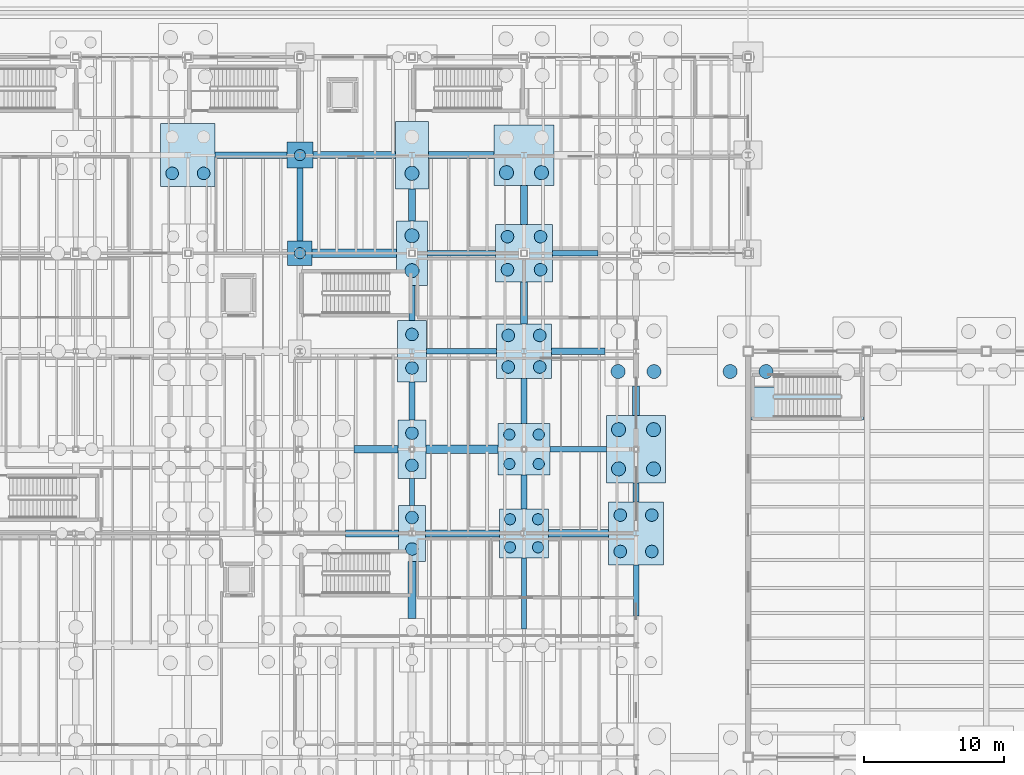
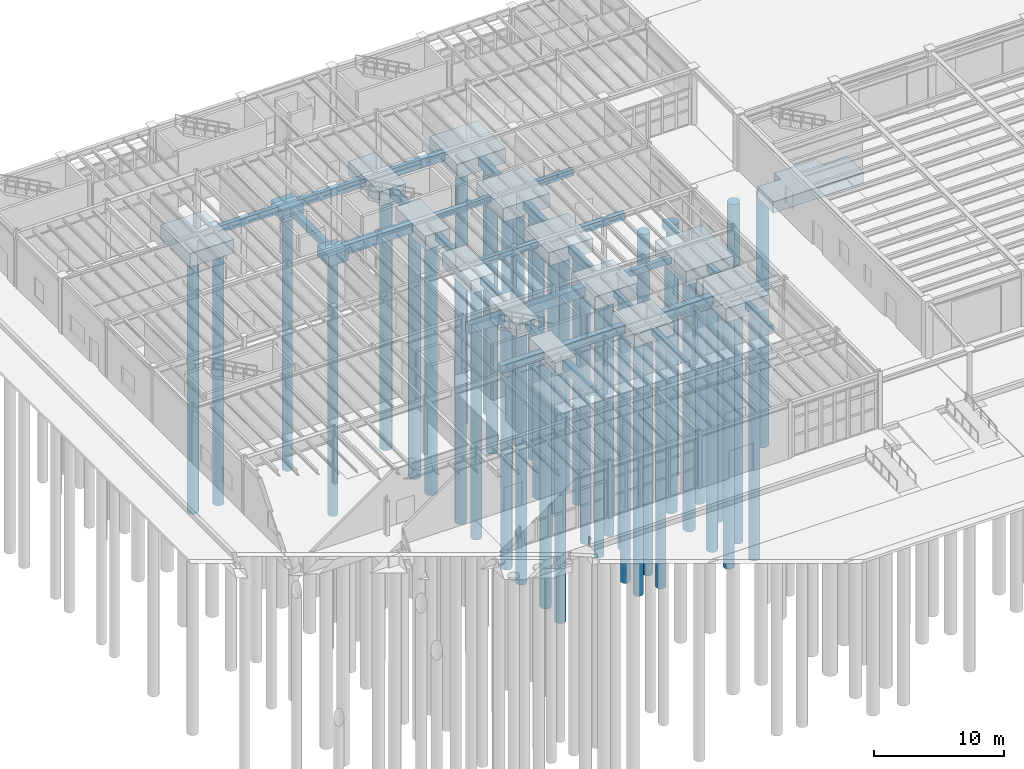
# One storey, part 4 of 86: 44 footings, 43 piles.
"""IFC4 building model written with IfcOpenShell, lengths in metres."""

from ifc_helpers import new_model, si_unit, direction, frame, origin, origin_2d, place, context, subcontext, project, spatial, polyline, rectangle, circle, outline, extrude, material, material_profile, profile_set, type_object, element, save


model = new_model("IFC4")

# Units and contexts
model_context = context("Model", 3, precision=1e-05, world=origin(), true_north=direction((0.0, 1.0)))
body_context = subcontext(model_context, "Body", "Model", "MODEL_VIEW")
ifc_project = project(units=[si_unit("LENGTHUNIT", "METRE"), si_unit("AREAUNIT", "SQUARE_METRE"), si_unit("VOLUMEUNIT", "CUBIC_METRE"), si_unit("PLANEANGLEUNIT", "RADIAN"), si_unit("MASSUNIT", "GRAM", prefix="KILO"), si_unit("THERMODYNAMICTEMPERATUREUNIT", "KELVIN"), si_unit("POWERUNIT", "WATT")], contexts=[model_context])

# Site, building, storey
site_placement = place(None, origin())
site = spatial("IfcSite", under=ifc_project, at=site_placement, CompositionType="ELEMENT")
building_placement = place(site_placement, origin())
building = spatial("IfcBuilding", under=site, at=building_placement, Name="Zhenchuan Central Fire Station", CompositionType="ELEMENT")
storey_placement = place(building_placement, frame((0.0, 0.0, 0.449951171875)))
storey = spatial("IfcBuildingStorey", under=building, at=storey_placement, Name="L01", CompositionType="ELEMENT", Elevation=0.449951171875)

# Footings
ifc_material_1 = material(Name="Concrete C35/45", Category="concrete")
footing_type_1 = type_object("IfcFootingType", Name="FB-380x550", PredefinedType="FOOTING_BEAM", material=ifc_material_1)
footing_1_placement = place(storey_placement, frame((0.0, 0.0, -1.0)))
element("IfcFooting", 1, at=footing_1_placement, inside=storey, type_object=footing_type_1, Name="Foundation Tie Beam FB-X-064", PredefinedType="FOOTING_BEAM", context=body_context, shape_type="SweptSolid", body=[
    extrude(outline(polyline([(41.85009765625, 28.31005859375), (45.89990234375, 28.31005859375), (45.89990234375, 28.68994140625), (41.85009765625, 28.68994140625), (41.85009765625, 28.31005859375)])), origin(), (0.0, 0.0, 1.0), 0.550048828125),
])
footing_2_placement = place(storey_placement, frame((0.0, 0.0, -1.0)))
element("IfcFooting", 2, at=footing_2_placement, inside=storey, type_object=footing_type_1, Name="Foundation Tie Beam FB-X-092", PredefinedType="FOOTING_BEAM", context=body_context, shape_type="SweptSolid", body=[
    extrude(outline(polyline([(33.10009765625, 42.31005859375), (37.949951171875, 42.31005859375), (37.949951171875, 42.68994140625), (33.10009765625, 42.68994140625), (33.10009765625, 42.31005859375)])), origin(), (0.0, 0.0, 1.0), 0.550048828125),
])
footing_3_placement = place(storey_placement, frame((0.0, 0.0, -1.0)))
element("IfcFooting", 3, at=footing_3_placement, inside=storey, type_object=footing_type_1, Name="Foundation Tie Beam FB-Y-155", PredefinedType="FOOTING_BEAM", context=body_context, shape_type="SweptSolid", body=[
    extrude(outline(polyline([(31.81005859375, 24.5), (32.18994140625, 24.5), (32.18994140625, 26.39990234375), (31.81005859375, 26.39990234375), (31.81005859375, 24.5)])), origin(), (0.0, 0.0, 1.0), 0.550048828125),
])
footing_4_placement = place(storey_placement, frame((0.0, 0.0, -1.0)))
element("IfcFooting", 4, at=footing_4_placement, inside=storey, type_object=footing_type_1, Name="Foundation Tie Beam FB-Y-162", PredefinedType="FOOTING_BEAM", context=body_context, shape_type="SweptSolid", body=[
    extrude(outline(polyline([(39.81005859375, 15.64990234375), (40.18994140625, 15.64990234375), (40.18994140625, 20.75), (39.81005859375, 20.75), (39.81005859375, 15.64990234375)])), origin(), (0.0, 0.0, 1.0), 0.550048828125),
])
footing_type_2 = type_object("IfcFootingType", Name="FB-400x600", PredefinedType="FOOTING_BEAM", material=ifc_material_1)
footing_5_placement = place(storey_placement, frame((0.0, 0.0, -1.050048828125)))
element("IfcFooting", 5, at=footing_5_placement, inside=storey, type_object=footing_type_2, Name="Foundation Tie Beam FB-X-072", PredefinedType="FOOTING_BEAM", context=body_context, shape_type="SweptSolid", body=[
    extrude(outline(polyline([(33.050048828125, 35.300048828125), (38.050048828125, 35.300048828125), (38.050048828125, 35.699951171875), (33.050048828125, 35.699951171875), (33.050048828125, 35.300048828125)])), origin(), (0.0, 0.0, 1.0), 0.60009765625),
])
footing_6_placement = place(storey_placement, frame((0.0, 0.0, -1.050048828125)))
element("IfcFooting", 6, at=footing_6_placement, inside=storey, type_object=footing_type_2, Name="Foundation Tie Beam FB-X-093", PredefinedType="FOOTING_BEAM", context=body_context, shape_type="SweptSolid", body=[
    extrude(outline(polyline([(42.050048828125, 42.300048828125), (45.300048828125, 42.300048828125), (45.300048828125, 42.699951171875), (42.050048828125, 42.699951171875), (42.050048828125, 42.300048828125)])), origin(), (0.0, 0.0, 1.0), 0.60009765625),
])
footing_7_placement = place(storey_placement, frame((0.0, 0.0, -1.050048828125)))
element("IfcFooting", 7, at=footing_7_placement, inside=storey, type_object=footing_type_2, Name="Foundation Tie Beam FB-Y-156", PredefinedType="FOOTING_BEAM", context=body_context, shape_type="SweptSolid", body=[
    extrude(outline(polyline([(31.800048828125, 30.60009765625), (32.199951171875, 30.60009765625), (32.199951171875, 33.300048828125), (31.800048828125, 33.300048828125), (31.800048828125, 30.60009765625)])), origin(), (0.0, 0.0, 1.0), 0.60009765625),
])
footing_8_placement = place(storey_placement, frame((0.0, 0.0, -1.050048828125)))
element("IfcFooting", 8, at=footing_8_placement, inside=storey, type_object=footing_type_2, Name="Foundation Tie Beam FB-Y-163", PredefinedType="FOOTING_BEAM", context=body_context, shape_type="SweptSolid", body=[
    extrude(outline(polyline([(39.800048828125, 24.25), (40.199951171875, 24.25), (40.199951171875, 26.64990234375), (39.800048828125, 26.64990234375), (39.800048828125, 24.25)])), origin(), (0.0, 0.0, 1.0), 0.60009765625),
])
footing_9_placement = place(storey_placement, frame((0.0, 0.0, -1.050048828125)))
element("IfcFooting", 9, at=footing_9_placement, inside=storey, type_object=footing_type_2, Name="Foundation Tie Beam FB-Y-170", PredefinedType="FOOTING_BEAM", context=body_context, shape_type="SweptSolid", body=[
    extrude(outline(polyline([(47.800048828125, 16.60009765625), (48.199951171875, 16.60009765625), (48.199951171875, 20.25), (47.800048828125, 20.25), (47.800048828125, 16.60009765625)])), origin(), (0.0, 0.0, 1.0), 0.60009765625),
])
footing_type_3 = type_object("IfcFootingType", Name="FB-450x650", PredefinedType="FOOTING_BEAM", material=ifc_material_1)
footing_10_placement = place(storey_placement, frame((0.0, 0.0, -1.099853515625)))
element("IfcFooting", 10, at=footing_10_placement, inside=storey, type_object=footing_type_3, Name="Foundation Tie Beam FB-X-073", PredefinedType="FOOTING_BEAM", context=body_context, shape_type="SweptSolid", body=[
    extrude(outline(polyline([(41.949951171875, 35.27490234375), (45.800048828125, 35.27490234375), (45.800048828125, 35.72509765625), (41.949951171875, 35.72509765625), (41.949951171875, 35.27490234375)])), origin(), (0.0, 0.0, 1.0), 0.64990234375),
])
footing_11_placement = place(storey_placement, frame((0.0, 0.0, -1.099853515625)))
element("IfcFooting", 11, at=footing_11_placement, inside=storey, type_object=footing_type_3, Name="Foundation Tie Beam FB-X-101", PredefinedType="FOOTING_BEAM", context=body_context, shape_type="SweptSolid", body=[
    extrude(outline(polyline([(17.949951171875, 49.27490234375), (23.074951171875, 49.27490234375), (23.074951171875, 49.72509765625), (17.949951171875, 49.72509765625), (17.949951171875, 49.27490234375)])), origin(), (0.0, 0.0, 1.0), 0.64990234375),
])
footing_12_placement = place(storey_placement, frame((0.0, 0.0, -1.099853515625)))
element("IfcFooting", 12, at=footing_12_placement, inside=storey, type_object=footing_type_3, Name="Foundation Tie Beam FB-Y-150", PredefinedType="FOOTING_BEAM", context=body_context, shape_type="SweptSolid", body=[
    extrude(outline(polyline([(23.77490234375, 43.375), (24.22509765625, 43.375), (24.22509765625, 48.574951171875), (23.77490234375, 48.574951171875), (23.77490234375, 43.375)])), origin(), (0.0, 0.0, 1.0), 0.64990234375),
])
footing_13_placement = place(storey_placement, frame((0.0, 0.0, -1.099853515625)))
element("IfcFooting", 13, at=footing_13_placement, inside=storey, type_object=footing_type_3, Name="Foundation Tie Beam FB-Y-157", PredefinedType="FOOTING_BEAM", context=body_context, shape_type="SweptSolid", body=[
    extrude(outline(polyline([(31.77490234375, 37.699951171875), (32.22509765625, 37.699951171875), (32.22509765625, 40.199951171875), (31.77490234375, 40.199951171875), (31.77490234375, 37.699951171875)])), origin(), (0.0, 0.0, 1.0), 0.64990234375),
])
footing_14_placement = place(storey_placement, frame((0.0, 0.0, -1.099853515625)))
element("IfcFooting", 14, at=footing_14_placement, inside=storey, type_object=footing_type_3, Name="Foundation Tie Beam FB-Y-164", PredefinedType="FOOTING_BEAM", context=body_context, shape_type="SweptSolid", body=[
    extrude(outline(polyline([(39.77490234375, 30.35009765625), (40.22509765625, 30.35009765625), (40.22509765625, 33.550048828125), (39.77490234375, 33.550048828125), (39.77490234375, 30.35009765625)])), origin(), (0.0, 0.0, 1.0), 0.64990234375),
])
footing_15_placement = place(storey_placement, frame((0.0, 0.0, -1.099853515625)))
element("IfcFooting", 15, at=footing_15_placement, inside=storey, type_object=footing_type_3, Name="Foundation Tie Beam FB-Y-171", PredefinedType="FOOTING_BEAM", context=body_context, shape_type="SweptSolid", body=[
    extrude(outline(polyline([(47.77490234375, 24.75), (48.22509765625, 24.75), (48.22509765625, 26.10009765625), (47.77490234375, 26.10009765625), (47.77490234375, 24.75)])), origin(), (0.0, 0.0, 1.0), 0.64990234375),
])
footing_type_4 = type_object("IfcFootingType", Name="FB-500x700", PredefinedType="FOOTING_BEAM", material=ifc_material_1)
footing_16_placement = place(storey_placement, frame((0.0, 0.0, -1.14990234375)))
element("IfcFooting", 16, at=footing_16_placement, inside=storey, type_object=footing_type_4, Name="Foundation Tie Beam FB-X-053", PredefinedType="FOOTING_BEAM", context=body_context, shape_type="SweptSolid", body=[
    extrude(outline(polyline([(27.25, 22.25), (31.050048828125, 22.25), (31.050048828125, 22.75), (27.25, 22.75), (27.25, 22.25)])), origin(), (0.0, 0.0, 1.0), 0.699951171875),
])
footing_17_placement = place(storey_placement, frame((0.0, 0.0, -1.14990234375)))
element("IfcFooting", 17, at=footing_17_placement, inside=storey, type_object=footing_type_4, Name="Foundation Tie Beam FB-X-102", PredefinedType="FOOTING_BEAM", context=body_context, shape_type="SweptSolid", body=[
    extrude(outline(polyline([(24.925048828125, 49.25), (30.824951171875, 49.25), (30.824951171875, 49.75), (24.925048828125, 49.75), (24.925048828125, 49.25)])), origin(), (0.0, 0.0, 1.0), 0.699951171875),
])
footing_18_placement = place(storey_placement, frame((0.0, 0.0, -1.14990234375)))
element("IfcFooting", 18, at=footing_18_placement, inside=storey, type_object=footing_type_4, Name="Foundation Tie Beam FB-Y-158", PredefinedType="FOOTING_BEAM", context=body_context, shape_type="SweptSolid", body=[
    extrude(outline(polyline([(31.75, 44.800048828125), (32.25, 44.800048828125), (32.25, 47.10009765625), (31.75, 47.10009765625), (31.75, 44.800048828125)])), origin(), (0.0, 0.0, 1.0), 0.699951171875),
])
footing_19_placement = place(storey_placement, frame((0.0, 0.0, -1.14990234375)))
element("IfcFooting", 19, at=footing_19_placement, inside=storey, type_object=footing_type_4, Name="Foundation Tie Beam FB-Y-165", PredefinedType="FOOTING_BEAM", context=body_context, shape_type="SweptSolid", body=[
    extrude(outline(polyline([(39.75, 37.449951171875), (40.25, 37.449951171875), (40.25, 40.449951171875), (39.75, 40.449951171875), (39.75, 37.449951171875)])), origin(), (0.0, 0.0, 1.0), 0.699951171875),
])
footing_20_placement = place(storey_placement, frame((0.0, 0.0, -1.14990234375)))
element("IfcFooting", 20, at=footing_20_placement, inside=storey, type_object=footing_type_4, Name="Foundation Tie Beam FB-Y-172", PredefinedType="FOOTING_BEAM", context=body_context, shape_type="SweptSolid", body=[
    extrude(outline(polyline([(47.75, 30.89990234375), (48.25, 30.89990234375), (48.25, 33.0), (47.75, 33.0), (47.75, 30.89990234375)])), origin(), (0.0, 0.0, 1.0), 0.699951171875),
])
footing_type_5 = type_object("IfcFootingType", Name="FB-500x800", PredefinedType="FOOTING_BEAM", material=ifc_material_1)
footing_21_placement = place(storey_placement, frame((0.0, 0.0, -1.25)))
element("IfcFooting", 21, at=footing_21_placement, inside=storey, type_object=footing_type_5, Name="Foundation Tie Beam FB-X-054", PredefinedType="FOOTING_BEAM", context=body_context, shape_type="SweptSolid", body=[
    extrude(outline(polyline([(32.949951171875, 22.25), (38.25, 22.25), (38.25, 22.75), (32.949951171875, 22.75), (32.949951171875, 22.25)])), origin(), (0.0, 0.0, 1.0), 0.800048828125),
])
footing_22_placement = place(storey_placement, frame((0.0, 0.0, -1.25)))
element("IfcFooting", 22, at=footing_22_placement, inside=storey, type_object=footing_type_5, Name="Foundation Tie Beam FB-X-103", PredefinedType="FOOTING_BEAM", context=body_context, shape_type="SweptSolid", body=[
    extrude(outline(polyline([(33.175048828125, 49.25), (37.85009765625, 49.25), (37.85009765625, 49.75), (33.175048828125, 49.75), (33.175048828125, 49.25)])), origin(), (0.0, 0.0, 1.0), 0.800048828125),
])
footing_23_placement = place(storey_placement, frame((0.0, 0.0, -1.25)))
element("IfcFooting", 23, at=footing_23_placement, inside=storey, type_object=footing_type_5, Name="Foundation Tie Beam FB-Y-166", PredefinedType="FOOTING_BEAM", context=body_context, shape_type="SweptSolid", body=[
    extrude(outline(polyline([(39.75, 44.550048828125), (40.25, 44.550048828125), (40.25, 47.35009765625), (39.75, 47.35009765625), (39.75, 44.550048828125)])), origin(), (0.0, 0.0, 1.0), 0.800048828125),
])
footing_type_6 = type_object("IfcFootingType", Name="FB-550x850", PredefinedType="FOOTING_BEAM", material=ifc_material_1)
footing_24_placement = place(storey_placement, frame((0.0, 0.0, -1.300048828125)))
element("IfcFooting", 24, at=footing_24_placement, inside=storey, type_object=footing_type_6, Name="Foundation Tie Beam FB-X-055", PredefinedType="FOOTING_BEAM", context=body_context, shape_type="SweptSolid", body=[
    extrude(outline(polyline([(41.75, 22.22509765625), (46.050048828125, 22.22509765625), (46.050048828125, 22.77490234375), (41.75, 22.77490234375), (41.75, 22.22509765625)])), origin(), (0.0, 0.0, 1.0), 0.85009765625),
])
footing_25_placement = place(storey_placement, frame((0.0, 0.0, -1.300048828125)))
element("IfcFooting", 25, at=footing_25_placement, inside=storey, type_object=footing_type_6, Name="Foundation Tie Beam FB-X-062", PredefinedType="FOOTING_BEAM", context=body_context, shape_type="SweptSolid", body=[
    extrude(outline(polyline([(27.85009765625, 28.22509765625), (31.0, 28.22509765625), (31.0, 28.77490234375), (27.85009765625, 28.77490234375), (27.85009765625, 28.22509765625)])), origin(), (0.0, 0.0, 1.0), 0.85009765625),
])
footing_type_7 = type_object("IfcFootingType", Name="FB-600x900", PredefinedType="FOOTING_BEAM", material=ifc_material_1)
footing_26_placement = place(storey_placement, frame((0.0, 0.0, -1.349853515625)))
element("IfcFooting", 26, at=footing_26_placement, inside=storey, type_object=footing_type_7, Name="Foundation Tie Beam FB-X-063", PredefinedType="FOOTING_BEAM", context=body_context, shape_type="SweptSolid", body=[
    extrude(outline(polyline([(33.0, 28.199951171875), (38.14990234375, 28.199951171875), (38.14990234375, 28.800048828125), (33.0, 28.800048828125), (33.0, 28.199951171875)])), origin(), (0.0, 0.0, 1.0), 0.89990234375),
])
footing_27_placement = place(storey_placement, frame((0.0, 0.0, -1.349853515625)))
element("IfcFooting", 27, at=footing_27_placement, inside=storey, type_object=footing_type_7, Name="Foundation Tie Beam FB-X-091", PredefinedType="FOOTING_BEAM", context=body_context, shape_type="SweptSolid", body=[
    extrude(outline(polyline([(24.875, 42.199951171875), (30.89990234375, 42.199951171875), (30.89990234375, 42.800048828125), (24.875, 42.800048828125), (24.875, 42.199951171875)])), origin(), (0.0, 0.0, 1.0), 0.89990234375),
])
footing_28_placement = place(storey_placement, frame((0.0, 0.0, -1.349853515625)))
element("IfcFooting", 28, at=footing_28_placement, inside=storey, type_object=footing_type_7, Name="Foundation Tie Beam FB-Y-154", PredefinedType="FOOTING_BEAM", context=body_context, shape_type="SweptSolid", body=[
    extrude(outline(polyline([(31.699951171875, 16.39990234375), (32.300048828125, 16.39990234375), (32.300048828125, 20.5), (31.699951171875, 20.5), (31.699951171875, 16.39990234375)])), origin(), (0.0, 0.0, 1.0), 0.89990234375),
])
ifc_material_2 = material(Name="Concrete C40/50", Category="concrete")
footing_type_8 = type_object("IfcFootingType", Name="PAD-CORE", PredefinedType="PAD_FOOTING", material=ifc_material_2)
footing_29_placement = place(storey_placement, frame((0.0, 0.0, -1.300048828125)))
element("IfcFooting", 29, at=footing_29_placement, inside=storey, type_object=footing_type_8, Name="ST-08 Core Foundation Mat Footing", PredefinedType="PAD_FOOTING", context=body_context, shape_type="SweptSolid", body=[
    extrude(outline(polyline([(64.235107421875, 30.574951171875), (56.22509765625, 30.574951171875), (56.22509765625, 32.9599609375), (58.239990234375, 32.9599609375), (58.239990234375, 33.925048828125), (62.010009765625, 33.925048828125), (62.010009765625, 33.010009765625), (64.235107421875, 33.010009765625), (64.235107421875, 30.574951171875)])), origin(), (0.0, 0.0, 1.0), 1.050048828125),
])
footing_type_9 = type_object("IfcFootingType", Name="PC-02", PredefinedType="PILE_CAP", material=ifc_material_2)
footing_30_placement = place(storey_placement, frame((24.0, 42.5, -1.469970703125), z_axis=(0.0, 0.0, 1.0), x_axis=(1.0, 0.0, 0.0)))
element("IfcFooting", 30, at=footing_30_placement, inside=storey, type_object=footing_type_9, Name="Pile Cap PC-02 at (24.0,42.5)", PredefinedType="PILE_CAP", context=body_context, shape_type="SweptSolid", body=[
    extrude(rectangle(XDim=1.75, YDim=1.75, at=origin_2d()), origin(), (0.0, 0.0, 1.0), 1.02001953125),
])
footing_type_10 = type_object("IfcFootingType", Name="PC-03", PredefinedType="PILE_CAP", material=ifc_material_2)
footing_31_placement = place(storey_placement, frame((24.0, 49.5, -1.5), z_axis=(0.0, 0.0, 1.0), x_axis=(1.0, 0.0, 0.0)))
element("IfcFooting", 31, at=footing_31_placement, inside=storey, type_object=footing_type_10, Name="Pile Cap PC-03 at (24.0,49.5)", PredefinedType="PILE_CAP", context=body_context, shape_type="SweptSolid", body=[
    extrude(rectangle(XDim=1.85009765625, YDim=1.85009765625, at=origin_2d()), origin(), (0.0, 0.0, 1.0), 1.050048828125),
])
footing_type_11 = type_object("IfcFootingType", Name="PC-08", PredefinedType="PILE_CAP", material=ifc_material_2)
footing_32_placement = place(storey_placement, frame((32.0, 22.5, -1.64990234375), z_axis=(0.0, 0.0, 1.0), x_axis=(1.0, 0.0, 0.0)))
element("IfcFooting", 32, at=footing_32_placement, inside=storey, type_object=footing_type_11, Name="Pile Cap PC-08 at (32.0,22.5)", PredefinedType="PILE_CAP", context=body_context, shape_type="SweptSolid", body=[
    extrude(rectangle(XDim=1.89990234375, YDim=4.0, at=origin_2d()), origin(), (0.0, 0.0, 1.0), 1.199951171875),
])
footing_type_12 = type_object("IfcFootingType", Name="PC-09", PredefinedType="PILE_CAP", material=ifc_material_2)
footing_33_placement = place(storey_placement, frame((32.0, 28.5, -1.64990234375), z_axis=(0.0, 0.0, 1.0), x_axis=(1.0, 0.0, 0.0)))
element("IfcFooting", 33, at=footing_33_placement, inside=storey, type_object=footing_type_12, Name="Pile Cap PC-09 at (32.0,28.5)", PredefinedType="PILE_CAP", context=body_context, shape_type="SweptSolid", body=[
    extrude(rectangle(XDim=2.0, YDim=4.199951171875, at=origin_2d()), origin(), (0.0, 0.0, 1.0), 1.199951171875),
])
footing_type_13 = type_object("IfcFootingType", Name="PC-10", PredefinedType="PILE_CAP", material=ifc_material_2)
footing_34_placement = place(storey_placement, frame((32.0, 35.5, -1.699951171875), z_axis=(0.0, 0.0, 1.0), x_axis=(1.0, 0.0, 0.0)))
element("IfcFooting", 34, at=footing_34_placement, inside=storey, type_object=footing_type_13, Name="Pile Cap PC-10 at (32.0,35.5)", PredefinedType="PILE_CAP", context=body_context, shape_type="SweptSolid", body=[
    extrude(rectangle(XDim=2.10009765625, YDim=4.39990234375, at=origin_2d()), origin(), (0.0, 0.0, 1.0), 1.25),
])
footing_type_14 = type_object("IfcFootingType", Name="PC-11", PredefinedType="PILE_CAP", material=ifc_material_2)
footing_35_placement = place(storey_placement, frame((32.0, 42.5, -1.75), z_axis=(0.0, 0.0, 1.0), x_axis=(1.0, 0.0, 0.0)))
element("IfcFooting", 35, at=footing_35_placement, inside=storey, type_object=footing_type_14, Name="Pile Cap PC-11 at (32.0,42.5)", PredefinedType="PILE_CAP", context=body_context, shape_type="SweptSolid", body=[
    extrude(rectangle(XDim=2.199951171875, YDim=4.60009765625, at=origin_2d()), origin(), (0.0, 0.0, 1.0), 1.300048828125),
])
footing_type_15 = type_object("IfcFootingType", Name="PC-12", PredefinedType="PILE_CAP", material=ifc_material_2)
footing_36_placement = place(storey_placement, frame((32.0, 49.5, -1.77001953125), z_axis=(0.0, 0.0, 1.0), x_axis=(1.0, 0.0, 0.0)))
element("IfcFooting", 36, at=footing_36_placement, inside=storey, type_object=footing_type_15, Name="Pile Cap PC-12 at (32.0,49.5)", PredefinedType="PILE_CAP", context=body_context, shape_type="SweptSolid", body=[
    extrude(rectangle(XDim=2.35009765625, YDim=4.800048828125, at=origin_2d()), origin(), (0.0, 0.0, 1.0), 1.320068359375),
])
footing_type_16 = type_object("IfcFootingType", Name="PC-17", PredefinedType="PILE_CAP", material=ifc_material_2)
footing_37_placement = place(storey_placement, frame((40.0, 22.5, -1.64990234375), z_axis=(0.0, 0.0, 1.0), x_axis=(1.0, 0.0, 0.0)))
element("IfcFooting", 37, at=footing_37_placement, inside=storey, type_object=footing_type_16, Name="Pile Cap PC-17 at (40.0,22.5)", PredefinedType="PILE_CAP", context=body_context, shape_type="SweptSolid", body=[
    extrude(rectangle(XDim=3.5, YDim=3.5, at=origin_2d()), origin(), (0.0, 0.0, 1.0), 1.199951171875),
])
footing_type_17 = type_object("IfcFootingType", Name="PC-18", PredefinedType="PILE_CAP", material=ifc_material_2)
footing_38_placement = place(storey_placement, frame((40.0, 28.5, -1.64990234375), z_axis=(0.0, 0.0, 1.0), x_axis=(1.0, 0.0, 0.0)))
element("IfcFooting", 38, at=footing_38_placement, inside=storey, type_object=footing_type_17, Name="Pile Cap PC-18 at (40.0,28.5)", PredefinedType="PILE_CAP", context=body_context, shape_type="SweptSolid", body=[
    extrude(rectangle(XDim=3.699951171875, YDim=3.699951171875, at=origin_2d()), origin(), (0.0, 0.0, 1.0), 1.199951171875),
])
footing_type_18 = type_object("IfcFootingType", Name="PC-19", PredefinedType="PILE_CAP", material=ifc_material_2)
footing_39_placement = place(storey_placement, frame((40.0, 35.5, -1.699951171875), z_axis=(0.0, 0.0, 1.0), x_axis=(1.0, 0.0, 0.0)))
element("IfcFooting", 39, at=footing_39_placement, inside=storey, type_object=footing_type_18, Name="Pile Cap PC-19 at (40.0,35.5)", PredefinedType="PILE_CAP", context=body_context, shape_type="SweptSolid", body=[
    extrude(rectangle(XDim=3.89990234375, YDim=3.89990234375, at=origin_2d()), origin(), (0.0, 0.0, 1.0), 1.25),
])
footing_type_19 = type_object("IfcFootingType", Name="PC-20", PredefinedType="PILE_CAP", material=ifc_material_2)
footing_40_placement = place(storey_placement, frame((40.0, 42.5, -1.75), z_axis=(0.0, 0.0, 1.0), x_axis=(1.0, 0.0, 0.0)))
element("IfcFooting", 40, at=footing_40_placement, inside=storey, type_object=footing_type_19, Name="Pile Cap PC-20 at (40.0,42.5)", PredefinedType="PILE_CAP", context=body_context, shape_type="SweptSolid", body=[
    extrude(rectangle(XDim=4.10009765625, YDim=4.10009765625, at=origin_2d()), origin(), (0.0, 0.0, 1.0), 1.300048828125),
])
footing_type_20 = type_object("IfcFootingType", Name="PC-21", PredefinedType="PILE_CAP", material=ifc_material_2)
footing_41_placement = place(storey_placement, frame((40.0, 49.5, -1.800048828125), z_axis=(0.0, 0.0, 1.0), x_axis=(1.0, 0.0, 0.0)))
element("IfcFooting", 41, at=footing_41_placement, inside=storey, type_object=footing_type_20, Name="Pile Cap PC-21 at (40.0,49.5)", PredefinedType="PILE_CAP", context=body_context, shape_type="SweptSolid", body=[
    extrude(rectangle(XDim=4.300048828125, YDim=4.300048828125, at=origin_2d()), origin(), (0.0, 0.0, 1.0), 1.35009765625),
])
footing_type_21 = type_object("IfcFootingType", Name="PC-26", PredefinedType="PILE_CAP", material=ifc_material_2)
for number, where, z_axis, x_axis, name in (
    (42, (16.0, 49.5, -1.75), (0.0, 0.0, 1.0), (1.0, 0.0, 0.0), "Pile Cap PC-26 at (16.0,49.5)"),
    (43, (48.0, 22.5, -1.75), (0.0, 0.0, 1.0), (1.0, 0.0, 0.0), "Pile Cap PC-26 at (48.0,22.5)"),
):
    element("IfcFooting", number, at=place(storey_placement, frame(where, z_axis=z_axis, x_axis=x_axis)), inside=storey, type_object=footing_type_21, Name=name, PredefinedType="PILE_CAP", context=body_context, shape_type="SweptSolid", body=[
        extrude(rectangle(XDim=3.89990234375, YDim=4.5, at=origin_2d()), origin(), (0.0, 0.0, 1.0), 1.300048828125),
    ])
footing_type_22 = type_object("IfcFootingType", Name="PC-27", PredefinedType="PILE_CAP", material=ifc_material_2)
footing_42_placement = place(storey_placement, frame((48.0, 28.5, -1.800048828125), z_axis=(0.0, 0.0, 1.0), x_axis=(1.0, 0.0, 0.0)))
element("IfcFooting", 44, at=footing_42_placement, inside=storey, type_object=footing_type_22, Name="Pile Cap PC-27 at (48.0,28.5)", PredefinedType="PILE_CAP", context=body_context, shape_type="SweptSolid", body=[
    extrude(rectangle(XDim=4.199951171875, YDim=4.800048828125, at=origin_2d()), origin(), (0.0, 0.0, 1.0), 1.35009765625),
])

# Piles
ifc_material_profile_1 = material_profile(ifc_material_1, circle(Radius=0.5, at=origin_2d()), Name="PILE D1000")
ifc_profile_set_1 = profile_set([ifc_material_profile_1], Name="Concrete C35/45")
pile_type_1 = type_object("IfcPileType", Name="PILE-D1000", PredefinedType="BORED", material=ifc_profile_set_1)
for number, where, z_axis, x_axis, name in (
    (45, (32.0, 41.25, -1.64990234375), (0.0, 0.0, -1.0), (1.0, 0.0, 0.0), "Bored Pile 043-1"),
    (46, (32.0, 43.75, -1.64990234375), (0.0, 0.0, -1.0), (1.0, 0.0, 0.0), "Bored Pile 043-2"),
):
    element("IfcPile", number, at=place(storey_placement, frame(where, z_axis=z_axis, x_axis=x_axis)), inside=storey, type_object=pile_type_1, Name=name, PredefinedType="BORED", context=body_context, shape_type="SweptSolid", body=[
        extrude(circle(Radius=0.5, at=origin_2d()), origin(), (0.0, 0.0, 1.0), 23.800048828125),
    ])
pile_1_placement = place(storey_placement, frame((32.0, 48.199951171875, -1.669921875), z_axis=(0.0, 0.0, -1.0), x_axis=(1.0, 0.0, 0.0)))
element("IfcPile", 47, at=pile_1_placement, inside=storey, type_object=pile_type_1, Name="Bored Pile 044-1", PredefinedType="BORED", context=body_context, shape_type="SweptSolid", body=[
    extrude(circle(Radius=0.5, at=origin_2d()), origin(), (0.0, 0.0, 1.0), 23.780029296875),
])
for number, where, z_axis, x_axis, name in (
    (48, (38.75, 48.25, -1.699951171875), (0.0, 0.0, -1.0), (1.0, 0.0, 0.0), "Bored Pile 053-1"),
    (49, (41.25, 48.25, -1.699951171875), (0.0, 0.0, -1.0), (1.0, 0.0, 0.0), "Bored Pile 053-2"),
    (50, (46.75, 27.10009765625, -1.699951171875), (0.0, 0.0, -1.0), (1.0, 0.0, 0.0), "Bored Pile 059-1"),
    (51, (49.25, 27.10009765625, -1.699951171875), (0.0, 0.0, -1.0), (1.0, 0.0, 0.0), "Bored Pile 059-2"),
    (52, (46.75, 29.89990234375, -1.699951171875), (0.0, 0.0, -1.0), (1.0, 0.0, 0.0), "Bored Pile 059-3"),
    (53, (49.25, 29.89990234375, -1.699951171875), (0.0, 0.0, -1.0), (1.0, 0.0, 0.0), "Bored Pile 059-4"),
):
    element("IfcPile", number, at=place(storey_placement, frame(where, z_axis=z_axis, x_axis=x_axis)), inside=storey, type_object=pile_type_1, Name=name, PredefinedType="BORED", context=body_context, shape_type="SweptSolid", body=[
        extrude(circle(Radius=0.5, at=origin_2d()), origin(), (0.0, 0.0, 1.0), 23.75),
    ])
for number, where, z_axis, x_axis, name in (
    (54, (46.719970703125, 34.050048828125, -1.72998046875), (0.0, 0.0, -1.0), (1.0, 0.0, 0.0), "Bored Pile 060-1"),
    (55, (49.280029296875, 34.050048828125, -1.72998046875), (0.0, 0.0, -1.0), (1.0, 0.0, 0.0), "Bored Pile 060-2"),
    (56, (54.719970703125, 34.050048828125, -1.72998046875), (0.0, 0.0, -1.0), (1.0, 0.0, 0.0), "Bored Pile 066-1"),
    (57, (57.280029296875, 34.050048828125, -1.72998046875), (0.0, 0.0, -1.0), (1.0, 0.0, 0.0), "Bored Pile 066-2"),
):
    element("IfcPile", number, at=place(storey_placement, frame(where, z_axis=z_axis, x_axis=x_axis)), inside=storey, type_object=pile_type_1, Name=name, PredefinedType="BORED", context=body_context, shape_type="SweptSolid", body=[
        extrude(circle(Radius=0.5, at=origin_2d()), origin(), (0.0, 0.0, 1.0), 23.719970703125),
    ])
ifc_material_profile_2 = material_profile(ifc_material_1, circle(Radius=0.39990234375, at=origin_2d()), Name="PILE D800")
ifc_profile_set_2 = profile_set([ifc_material_profile_2], Name="Concrete C35/45")
pile_type_2 = type_object("IfcPileType", Name="PILE-D800", PredefinedType="BORED", material=ifc_profile_set_2)
pile_2_placement = place(storey_placement, frame((24.0, 42.5, -1.369873046875), z_axis=(0.0, 0.0, -1.0), x_axis=(1.0, 0.0, 0.0)))
element("IfcPile", 58, at=pile_2_placement, inside=storey, type_object=pile_type_2, Name="Bored Pile 034-1", PredefinedType="BORED", context=body_context, shape_type="SweptSolid", body=[
    extrude(circle(Radius=0.39990234375, at=origin_2d()), origin(), (0.0, 0.0, 1.0), 24.080078125),
])
pile_3_placement = place(storey_placement, frame((24.0, 49.5, -1.39990234375), z_axis=(0.0, 0.0, -1.0), x_axis=(1.0, 0.0, 0.0)))
element("IfcPile", 59, at=pile_3_placement, inside=storey, type_object=pile_type_2, Name="Bored Pile 035-1", PredefinedType="BORED", context=body_context, shape_type="SweptSolid", body=[
    extrude(circle(Radius=0.39990234375, at=origin_2d()), origin(), (0.0, 0.0, 1.0), 24.050048828125),
])
for number, where, z_axis, x_axis, name in (
    (60, (39.0, 21.5, -1.550048828125), (0.0, 0.0, -1.0), (1.0, 0.0, 0.0), "Bored Pile 049-1"),
    (61, (41.0, 21.5, -1.550048828125), (0.0, 0.0, -1.0), (1.0, 0.0, 0.0), "Bored Pile 049-2"),
    (62, (39.0, 23.5, -1.550048828125), (0.0, 0.0, -1.0), (1.0, 0.0, 0.0), "Bored Pile 049-3"),
    (63, (41.0, 23.5, -1.550048828125), (0.0, 0.0, -1.0), (1.0, 0.0, 0.0), "Bored Pile 049-4"),
    (64, (38.949951171875, 27.449951171875, -1.550048828125), (0.0, 0.0, -1.0), (1.0, 0.0, 0.0), "Bored Pile 050-1"),
    (65, (41.050048828125, 27.449951171875, -1.550048828125), (0.0, 0.0, -1.0), (1.0, 0.0, 0.0), "Bored Pile 050-2"),
    (66, (38.949951171875, 29.550048828125, -1.550048828125), (0.0, 0.0, -1.0), (1.0, 0.0, 0.0), "Bored Pile 050-3"),
    (67, (41.050048828125, 29.550048828125, -1.550048828125), (0.0, 0.0, -1.0), (1.0, 0.0, 0.0), "Bored Pile 050-4"),
):
    element("IfcPile", number, at=place(storey_placement, frame(where, z_axis=z_axis, x_axis=x_axis)), inside=storey, type_object=pile_type_2, Name=name, PredefinedType="BORED", context=body_context, shape_type="SweptSolid", body=[
        extrude(circle(Radius=0.39990234375, at=origin_2d()), origin(), (0.0, 0.0, 1.0), 23.89990234375),
    ])
ifc_material_profile_3 = material_profile(ifc_material_1, circle(Radius=0.449951171875, at=origin_2d()), Name="PILE D900")
ifc_profile_set_3 = profile_set([ifc_material_profile_3], Name="Concrete C35/45")
pile_type_3 = type_object("IfcPileType", Name="PILE-D900", PredefinedType="BORED", material=ifc_profile_set_3)
for number, where, z_axis, x_axis, name in (
    (68, (14.875, 48.199951171875, -1.64990234375), (0.0, 0.0, -1.0), (1.0, 0.0, 0.0), "Bored Pile 026-1"),
    (69, (17.125, 48.199951171875, -1.64990234375), (0.0, 0.0, -1.0), (1.0, 0.0, 0.0), "Bored Pile 026-2"),
):
    element("IfcPile", number, at=place(storey_placement, frame(where, z_axis=z_axis, x_axis=x_axis)), inside=storey, type_object=pile_type_3, Name=name, PredefinedType="BORED", context=body_context, shape_type="SweptSolid", body=[
        extrude(circle(Radius=0.449951171875, at=origin_2d()), origin(), (0.0, 0.0, 1.0), 23.800048828125),
    ])
for number, where, z_axis, x_axis, name in (
    (70, (32.0, 21.375, -1.550048828125), (0.0, 0.0, -1.0), (1.0, 0.0, 0.0), "Bored Pile 040-1"),
    (71, (32.0, 23.625, -1.550048828125), (0.0, 0.0, -1.0), (1.0, 0.0, 0.0), "Bored Pile 040-2"),
    (72, (32.0, 27.35009765625, -1.550048828125), (0.0, 0.0, -1.0), (1.0, 0.0, 0.0), "Bored Pile 041-1"),
    (73, (32.0, 29.64990234375, -1.550048828125), (0.0, 0.0, -1.0), (1.0, 0.0, 0.0), "Bored Pile 041-2"),
):
    element("IfcPile", number, at=place(storey_placement, frame(where, z_axis=z_axis, x_axis=x_axis)), inside=storey, type_object=pile_type_3, Name=name, PredefinedType="BORED", context=body_context, shape_type="SweptSolid", body=[
        extrude(circle(Radius=0.449951171875, at=origin_2d()), origin(), (0.0, 0.0, 1.0), 23.89990234375),
    ])
for number, where, z_axis, x_axis, name in (
    (74, (32.0, 34.300048828125, -1.599853515625), (0.0, 0.0, -1.0), (1.0, 0.0, 0.0), "Bored Pile 042-1"),
    (75, (32.0, 36.699951171875, -1.599853515625), (0.0, 0.0, -1.0), (1.0, 0.0, 0.0), "Bored Pile 042-2"),
    (76, (38.875, 34.375, -1.599853515625), (0.0, 0.0, -1.0), (1.0, 0.0, 0.0), "Bored Pile 051-1"),
    (77, (41.125, 34.375, -1.599853515625), (0.0, 0.0, -1.0), (1.0, 0.0, 0.0), "Bored Pile 051-2"),
    (78, (38.875, 36.625, -1.599853515625), (0.0, 0.0, -1.0), (1.0, 0.0, 0.0), "Bored Pile 051-3"),
    (79, (41.125, 36.625, -1.599853515625), (0.0, 0.0, -1.0), (1.0, 0.0, 0.0), "Bored Pile 051-4"),
):
    element("IfcPile", number, at=place(storey_placement, frame(where, z_axis=z_axis, x_axis=x_axis)), inside=storey, type_object=pile_type_3, Name=name, PredefinedType="BORED", context=body_context, shape_type="SweptSolid", body=[
        extrude(circle(Radius=0.449951171875, at=origin_2d()), origin(), (0.0, 0.0, 1.0), 23.85009765625),
    ])
for number, where, z_axis, x_axis, name in (
    (80, (38.820068359375, 41.320068359375, -1.64990234375), (0.0, 0.0, -1.0), (1.0, 0.0, 0.0), "Bored Pile 052-1"),
    (81, (41.179931640625, 41.320068359375, -1.64990234375), (0.0, 0.0, -1.0), (1.0, 0.0, 0.0), "Bored Pile 052-2"),
    (82, (38.820068359375, 43.679931640625, -1.64990234375), (0.0, 0.0, -1.0), (1.0, 0.0, 0.0), "Bored Pile 052-3"),
    (83, (41.179931640625, 43.679931640625, -1.64990234375), (0.0, 0.0, -1.0), (1.0, 0.0, 0.0), "Bored Pile 052-4"),
    (84, (46.875, 21.199951171875, -1.64990234375), (0.0, 0.0, -1.0), (1.0, 0.0, 0.0), "Bored Pile 058-1"),
    (85, (49.125, 21.199951171875, -1.64990234375), (0.0, 0.0, -1.0), (1.0, 0.0, 0.0), "Bored Pile 058-2"),
    (86, (46.875, 23.800048828125, -1.64990234375), (0.0, 0.0, -1.0), (1.0, 0.0, 0.0), "Bored Pile 058-3"),
    (87, (49.125, 23.800048828125, -1.64990234375), (0.0, 0.0, -1.0), (1.0, 0.0, 0.0), "Bored Pile 058-4"),
):
    element("IfcPile", number, at=place(storey_placement, frame(where, z_axis=z_axis, x_axis=x_axis)), inside=storey, type_object=pile_type_3, Name=name, PredefinedType="BORED", context=body_context, shape_type="SweptSolid", body=[
        extrude(circle(Radius=0.449951171875, at=origin_2d()), origin(), (0.0, 0.0, 1.0), 23.800048828125),
    ])

save(model, "model.ifc")
